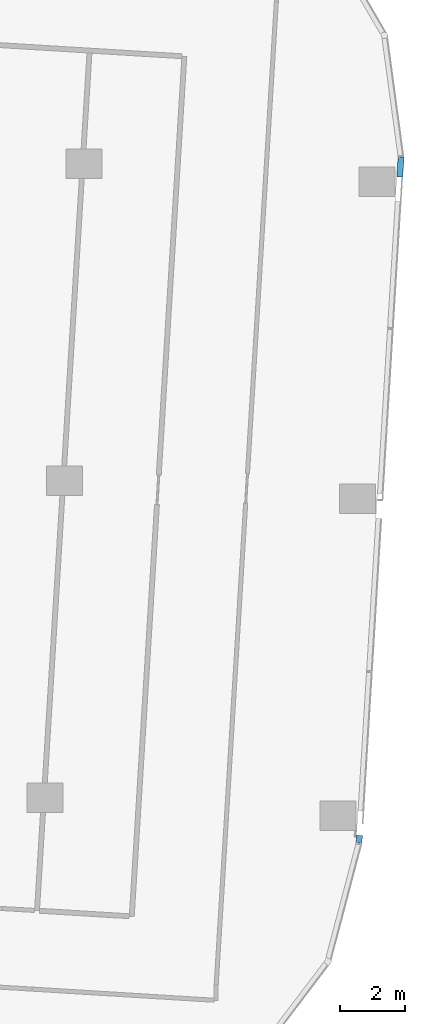
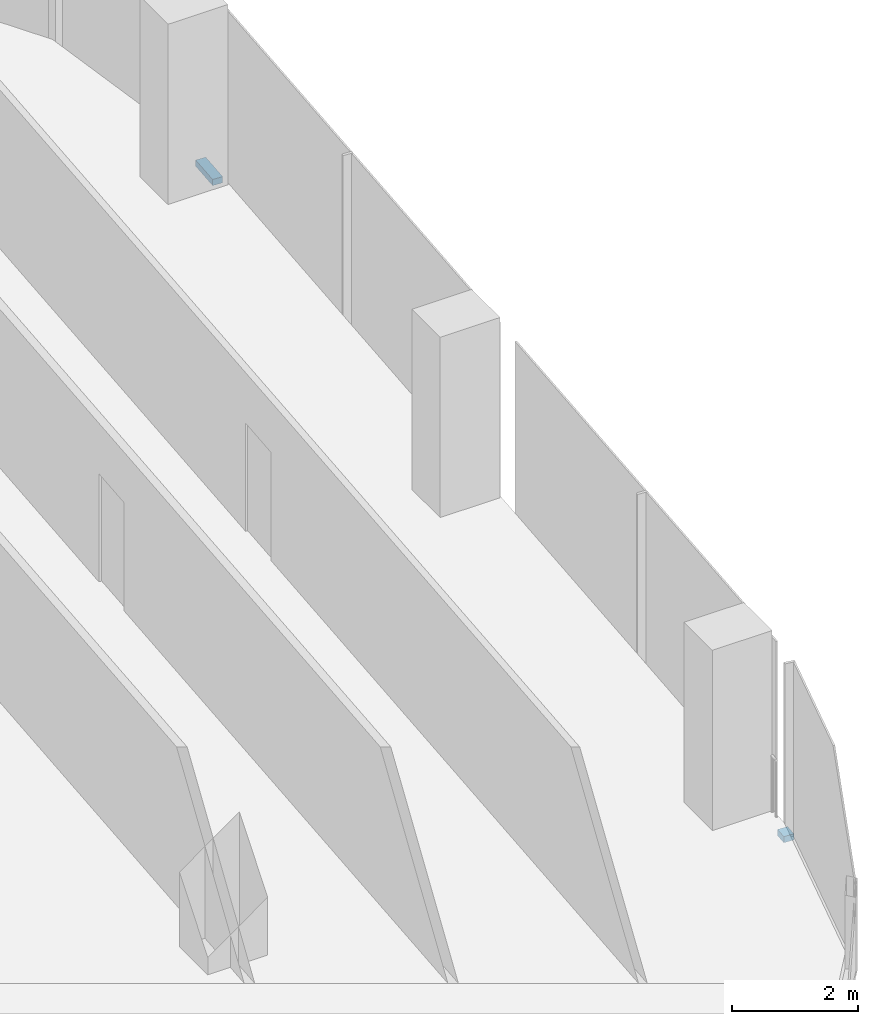
# One storey, part 17 of 32: 2 members, 1 element without a shape of its own.
"""IFC4 building model written with IfcOpenShell, lengths in metres."""

from ifc_helpers import new_model, si_unit, direction, frame, origin, origin_2d, place, context, subcontext, project, spatial, rectangle, extrude, material, material_profile, profile_set, type_object, element, aggregate, save


model = new_model("IFC4")

# Units and contexts
model_context = context("Model", 3, precision=1e-05, world=origin(), true_north=direction((0.0, 1.0)))
body_context = subcontext(model_context, "Body", "Model", "MODEL_VIEW")
ifc_project = project(units=[si_unit("LENGTHUNIT", "METRE"), si_unit("AREAUNIT", "SQUARE_METRE"), si_unit("VOLUMEUNIT", "CUBIC_METRE"), si_unit("PLANEANGLEUNIT", "RADIAN"), si_unit("MASSUNIT", "GRAM", prefix="KILO")], contexts=[model_context])

# Site, building, storey
site_placement = place(None, origin())
site = spatial("IfcSite", under=ifc_project, at=site_placement, CompositionType="ELEMENT")
building_placement = place(site_placement, origin())
building = spatial("IfcBuilding", under=site, at=building_placement, Name="Orlundy Tower", CompositionType="ELEMENT")
storey_placement = place(building_placement, frame((0.0, 0.0, 149.10009765625)))
storey = spatial("IfcBuildingStorey", under=building, at=storey_placement, Name="L38", CompositionType="ELEMENT", Elevation=149.10009765625)

# Curtain wall, members
ifc_material_1 = material(Name="Aluminium bronze anodised", Category="aluminium")
curtain_wall_type = type_object("IfcCurtainWallType", Name="CW1 wall", PredefinedType="NOTDEFINED", material=ifc_material_1)
curtain_wall_placement = place(storey_placement, origin())
curtain_wall = element("IfcCurtainWall", 1, at=curtain_wall_placement, inside=storey, type_object=curtain_wall_type, Name="CW1 run 023", PredefinedType="NOTDEFINED")
ifc_material_2 = material(Name="Aluminium bronze anodised", Category="aluminium")
ifc_material_profile = material_profile(ifc_material_2, rectangle(XDim=0.179931640625, YDim=0.1201171875, at=origin_2d()), Name="CW1 transom 180x120")
ifc_profile_set = profile_set([ifc_material_profile], Name="Aluminium bronze anodised")
member_type = type_object("IfcMemberType", Name="CW1 transom 180x120", PredefinedType="USERDEFINED", material=ifc_profile_set)
member_1_placement = place(storey_placement, frame((61.116943359375, 6.765380859375, -0.340087890625), z_axis=(-0.061068948962, -0.998133549918, 0.0), x_axis=(0.998133549918, -0.061068948962, 0.0)))
member_1 = element("IfcMember", 2, at=member_1_placement, type_object=member_type, Name="CW1 transom", ObjectType="TRANSOM", PredefinedType="USERDEFINED", context=body_context, shape_type="SweptSolid", body=[
    extrude(rectangle(XDim=0.179931640625, YDim=0.1201171875, at=origin_2d()), origin(), (0.0, 0.0, 1.0), 0.603759765625),
])
member_2_placement = place(storey_placement, frame((59.8505859375, -13.93896484375, -0.340087890625), z_axis=(-0.060822981328, -0.998148568572, 0.0), x_axis=(0.998148568572, -0.060822981328, 0.0)))
member_2 = element("IfcMember", 3, at=member_2_placement, type_object=member_type, Name="CW1 transom", ObjectType="TRANSOM", PredefinedType="USERDEFINED", context=body_context, shape_type="SweptSolid", body=[
    extrude(rectangle(XDim=0.179931640625, YDim=0.1201171875, at=origin_2d()), origin(), (0.0, 0.0, 1.0), 0.224853515625),
])
aggregate(curtain_wall, [member_1, member_2])

save(model, "model.ifc")
